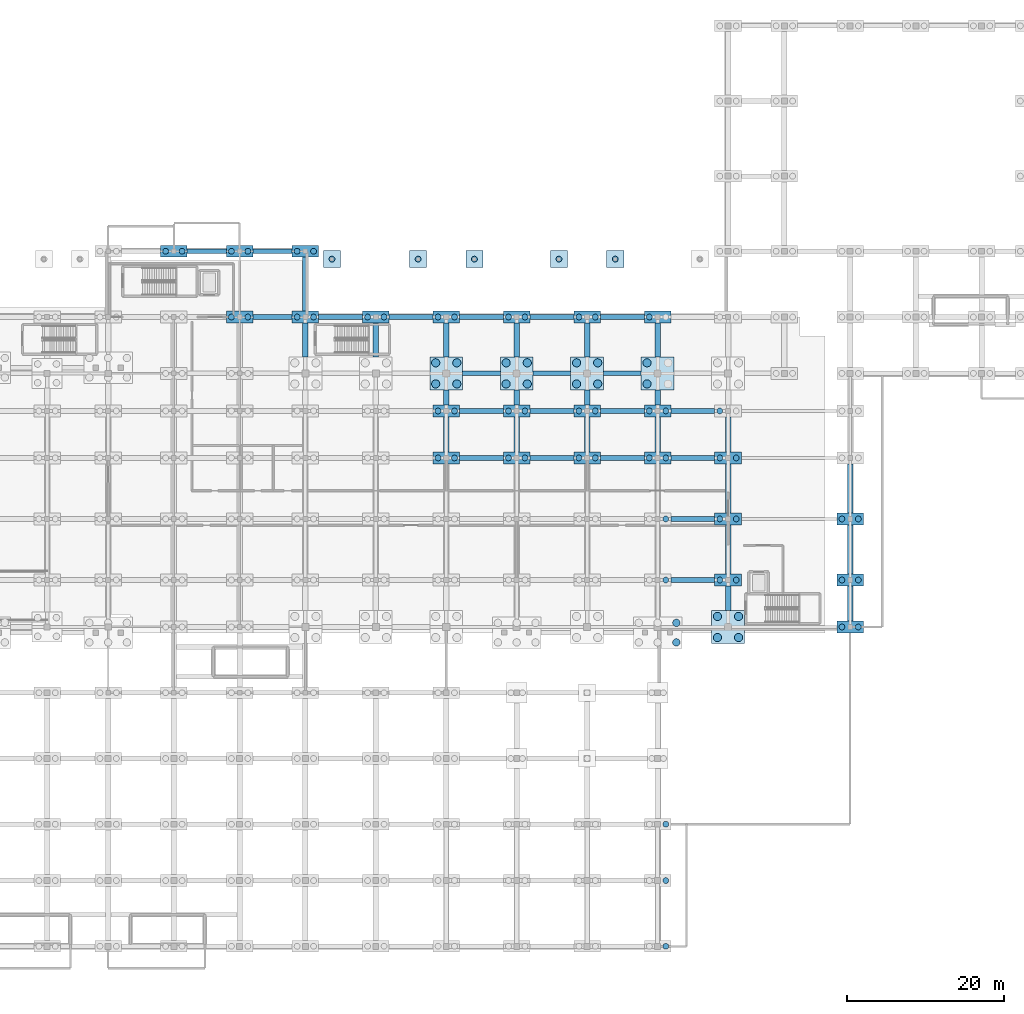
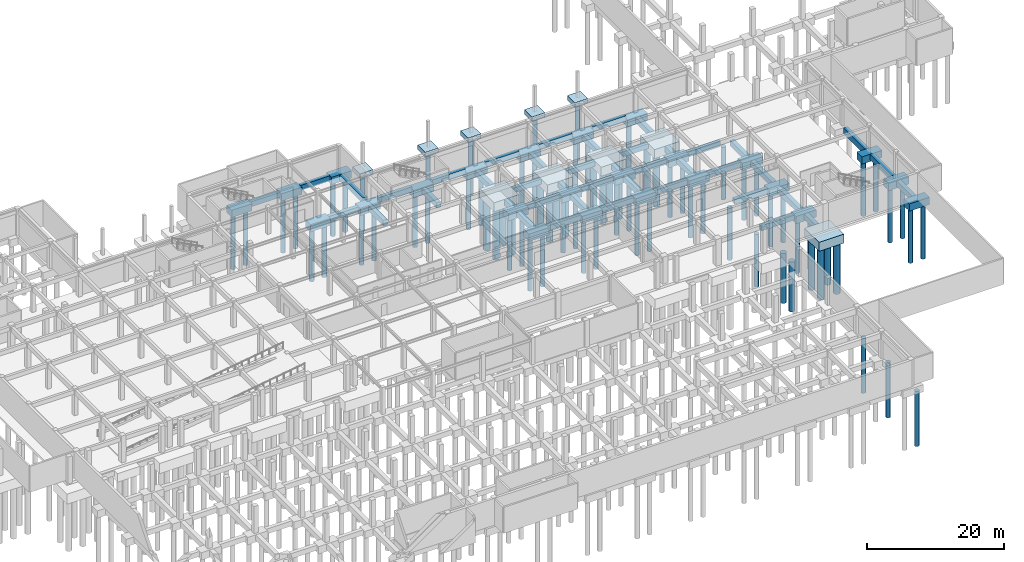
# One storey, part 7 of 26: 78 piles, 77 footings.
"""IFC4 building model written with IfcOpenShell, lengths in metres."""

from ifc_helpers import new_model, si_unit, direction, frame, origin, origin_2d, place, context, subcontext, project, spatial, rectangle, circle, extrude, material, material_profile, profile_set, type_object, element, save


model = new_model("IFC4")

# Units and contexts
model_context = context("Model", 3, precision=1e-05, world=origin(), true_north=direction((0.0, 1.0)))
body_context = subcontext(model_context, "Body", "Model", "MODEL_VIEW")
ifc_project = project(units=[si_unit("LENGTHUNIT", "METRE"), si_unit("AREAUNIT", "SQUARE_METRE"), si_unit("VOLUMEUNIT", "CUBIC_METRE"), si_unit("PLANEANGLEUNIT", "RADIAN"), si_unit("MASSUNIT", "GRAM", prefix="KILO")], contexts=[model_context])

# Site, building, storey
site_placement = place(None, origin())
site = spatial("IfcSite", under=ifc_project, at=site_placement, CompositionType="ELEMENT")
building_placement = place(site_placement, origin())
building = spatial("IfcBuilding", under=site, at=building_placement, Name="Tizgana Railside Sports Hall", CompositionType="ELEMENT")
storey_placement = place(building_placement, frame((0.0, 0.0, -4.800048828125)))
storey = spatial("IfcBuildingStorey", under=building, at=storey_placement, Name="B1", CompositionType="ELEMENT", Elevation=-4.800048828125)

# Piles
ifc_material = material(Name="Concrete C35/45", Category="concrete")
ifc_material_profile_1 = material_profile(ifc_material, circle(Radius=0.52490234375, at=origin_2d()), Name="PILE D1050")
ifc_profile_set_1 = profile_set([ifc_material_profile_1], Name="Concrete C35/45")
pile_type_1 = type_object("IfcPileType", Name="Bored Pile D1050", PredefinedType="BORED", material=ifc_profile_set_1)
for number, where, z_axis, x_axis, name in (
    (1, (96.449951171875, 71.85009765625, -1.919921875), (0.0, 0.0, -1.0), (1.0, 0.0, 0.0), "B1 PIL-0375"),
    (2, (99.14990234375, 71.85009765625, -1.919921875), (0.0, 0.0, -1.0), (1.0, 0.0, 0.0), "B1 PIL-0376"),
    (3, (96.449951171875, 74.550048828125, -1.919921875), (0.0, 0.0, -1.0), (1.0, 0.0, 0.0), "B1 PIL-0377"),
    (4, (99.14990234375, 74.550048828125, -1.919921875), (0.0, 0.0, -1.0), (1.0, 0.0, 0.0), "B1 PIL-0378"),
    (5, (105.449951171875, 71.85009765625, -1.919921875), (0.0, 0.0, -1.0), (1.0, 0.0, 0.0), "B1 PIL-0405"),
    (6, (108.14990234375, 71.85009765625, -1.919921875), (0.0, 0.0, -1.0), (1.0, 0.0, 0.0), "B1 PIL-0406"),
    (7, (105.449951171875, 74.550048828125, -1.919921875), (0.0, 0.0, -1.0), (1.0, 0.0, 0.0), "B1 PIL-0407"),
    (8, (108.14990234375, 74.550048828125, -1.919921875), (0.0, 0.0, -1.0), (1.0, 0.0, 0.0), "B1 PIL-0408"),
    (9, (114.449951171875, 71.85009765625, -1.919921875), (0.0, 0.0, -1.0), (1.0, 0.0, 0.0), "B1 PIL-0431"),
    (10, (117.14990234375, 71.85009765625, -1.919921875), (0.0, 0.0, -1.0), (1.0, 0.0, 0.0), "B1 PIL-0432"),
    (11, (114.449951171875, 74.550048828125, -1.919921875), (0.0, 0.0, -1.0), (1.0, 0.0, 0.0), "B1 PIL-0433"),
    (12, (117.14990234375, 74.550048828125, -1.919921875), (0.0, 0.0, -1.0), (1.0, 0.0, 0.0), "B1 PIL-0434"),
    (13, (123.449951171875, 71.85009765625, -1.919921875), (0.0, 0.0, -1.0), (1.0, 0.0, 0.0), "B1 PIL-0461"),
    (14, (123.449951171875, 74.550048828125, -1.919921875), (0.0, 0.0, -1.0), (1.0, 0.0, 0.0), "B1 PIL-0463"),
    (15, (132.449951171875, 39.449951171875, -1.919921875), (0.0, 0.0, -1.0), (1.0, 0.0, 0.0), "B1 PIL-0467"),
    (16, (135.14990234375, 39.449951171875, -1.919921875), (0.0, 0.0, -1.0), (1.0, 0.0, 0.0), "B1 PIL-0468"),
    (17, (132.449951171875, 42.14990234375, -1.919921875), (0.0, 0.0, -1.0), (1.0, 0.0, 0.0), "B1 PIL-0469"),
    (18, (135.14990234375, 42.14990234375, -1.919921875), (0.0, 0.0, -1.0), (1.0, 0.0, 0.0), "B1 PIL-0470"),
):
    element("IfcPile", number, at=place(storey_placement, frame(where, z_axis=z_axis, x_axis=x_axis)), inside=storey, type_object=pile_type_1, Name=name, PredefinedType="BORED", context=body_context, shape_type="SweptSolid", body=[
        extrude(circle(Radius=0.52490234375, at=origin_2d()), origin(), (0.0, 0.0, 1.0), 9.080078125),
    ])
ifc_material_profile_2 = material_profile(ifc_material, circle(Radius=0.375, at=origin_2d()), Name="PILE D750")
ifc_profile_set_2 = profile_set([ifc_material_profile_2], Name="Concrete C35/45")
pile_type_2 = type_object("IfcPileType", Name="Bored Pile D750", PredefinedType="BORED", material=ifc_profile_set_2)
for number, where, z_axis, x_axis, name in (
    (19, (61.949951171875, 88.800048828125, -1.199951171875), (0.0, 0.0, -1.0), (1.0, 0.0, 0.0), "B1 PIL-0267"),
    (20, (64.050048828125, 88.800048828125, -1.199951171875), (0.0, 0.0, -1.0), (1.0, 0.0, 0.0), "B1 PIL-0268"),
):
    element("IfcPile", number, at=place(storey_placement, frame(where, z_axis=z_axis, x_axis=x_axis)), inside=storey, type_object=pile_type_2, Name=name, PredefinedType="BORED", context=body_context, shape_type="SweptSolid", body=[
        extrude(circle(Radius=0.375, at=origin_2d()), origin(), (0.0, 0.0, 1.0), 9.800048828125),
    ])
for number, where, z_axis, x_axis, name in (
    (21, (70.35009765625, 80.39990234375, -1.619873046875), (0.0, 0.0, -1.0), (1.0, 0.0, 0.0), "B1 PIL-0291"),
    (22, (72.449951171875, 80.39990234375, -1.619873046875), (0.0, 0.0, -1.0), (1.0, 0.0, 0.0), "B1 PIL-0292"),
):
    element("IfcPile", number, at=place(storey_placement, frame(where, z_axis=z_axis, x_axis=x_axis)), inside=storey, type_object=pile_type_2, Name=name, PredefinedType="BORED", context=body_context, shape_type="SweptSolid", body=[
        extrude(circle(Radius=0.375, at=origin_2d()), origin(), (0.0, 0.0, 1.0), 9.3798828125),
    ])
for number, where, z_axis, x_axis, name in (
    (23, (70.35009765625, 88.800048828125, -1.199951171875), (0.0, 0.0, -1.0), (1.0, 0.0, 0.0), "B1 PIL-0293"),
    (24, (72.449951171875, 88.800048828125, -1.199951171875), (0.0, 0.0, -1.0), (1.0, 0.0, 0.0), "B1 PIL-0294"),
):
    element("IfcPile", number, at=place(storey_placement, frame(where, z_axis=z_axis, x_axis=x_axis)), inside=storey, type_object=pile_type_2, Name=name, PredefinedType="BORED", context=body_context, shape_type="SweptSolid", body=[
        extrude(circle(Radius=0.375, at=origin_2d()), origin(), (0.0, 0.0, 1.0), 9.800048828125),
    ])
for number, where, z_axis, x_axis, name in (
    (25, (78.75, 80.39990234375, -1.619873046875), (0.0, 0.0, -1.0), (1.0, 0.0, 0.0), "B1 PIL-0321"),
    (26, (80.85009765625, 80.39990234375, -1.619873046875), (0.0, 0.0, -1.0), (1.0, 0.0, 0.0), "B1 PIL-0322"),
):
    element("IfcPile", number, at=place(storey_placement, frame(where, z_axis=z_axis, x_axis=x_axis)), inside=storey, type_object=pile_type_2, Name=name, PredefinedType="BORED", context=body_context, shape_type="SweptSolid", body=[
        extrude(circle(Radius=0.375, at=origin_2d()), origin(), (0.0, 0.0, 1.0), 9.3798828125),
    ])
for number, where, z_axis, x_axis, name in (
    (27, (78.75, 88.800048828125, -1.199951171875), (0.0, 0.0, -1.0), (1.0, 0.0, 0.0), "B1 PIL-0323"),
    (28, (80.85009765625, 88.800048828125, -1.199951171875), (0.0, 0.0, -1.0), (1.0, 0.0, 0.0), "B1 PIL-0324"),
):
    element("IfcPile", number, at=place(storey_placement, frame(where, z_axis=z_axis, x_axis=x_axis)), inside=storey, type_object=pile_type_2, Name=name, PredefinedType="BORED", context=body_context, shape_type="SweptSolid", body=[
        extrude(circle(Radius=0.375, at=origin_2d()), origin(), (0.0, 0.0, 1.0), 9.800048828125),
    ])
for number, where, z_axis, x_axis, name in (
    (29, (87.75, 80.39990234375, -1.619873046875), (0.0, 0.0, -1.0), (1.0, 0.0, 0.0), "B1 PIL-0351"),
    (30, (89.85009765625, 80.39990234375, -1.619873046875), (0.0, 0.0, -1.0), (1.0, 0.0, 0.0), "B1 PIL-0352"),
    (31, (96.75, 62.39990234375, -1.619873046875), (0.0, 0.0, -1.0), (1.0, 0.0, 0.0), "B1 PIL-0371"),
    (32, (98.85009765625, 62.39990234375, -1.619873046875), (0.0, 0.0, -1.0), (1.0, 0.0, 0.0), "B1 PIL-0372"),
    (33, (96.75, 68.39990234375, -1.619873046875), (0.0, 0.0, -1.0), (1.0, 0.0, 0.0), "B1 PIL-0373"),
    (34, (98.85009765625, 68.39990234375, -1.619873046875), (0.0, 0.0, -1.0), (1.0, 0.0, 0.0), "B1 PIL-0374"),
    (35, (96.75, 80.39990234375, -1.619873046875), (0.0, 0.0, -1.0), (1.0, 0.0, 0.0), "B1 PIL-0379"),
    (36, (98.85009765625, 80.39990234375, -1.619873046875), (0.0, 0.0, -1.0), (1.0, 0.0, 0.0), "B1 PIL-0380"),
    (37, (105.75, 62.39990234375, -1.619873046875), (0.0, 0.0, -1.0), (1.0, 0.0, 0.0), "B1 PIL-0401"),
    (38, (107.85009765625, 62.39990234375, -1.619873046875), (0.0, 0.0, -1.0), (1.0, 0.0, 0.0), "B1 PIL-0402"),
    (39, (105.75, 68.39990234375, -1.619873046875), (0.0, 0.0, -1.0), (1.0, 0.0, 0.0), "B1 PIL-0403"),
    (40, (107.85009765625, 68.39990234375, -1.619873046875), (0.0, 0.0, -1.0), (1.0, 0.0, 0.0), "B1 PIL-0404"),
    (41, (105.75, 80.39990234375, -1.619873046875), (0.0, 0.0, -1.0), (1.0, 0.0, 0.0), "B1 PIL-0409"),
    (42, (107.85009765625, 80.39990234375, -1.619873046875), (0.0, 0.0, -1.0), (1.0, 0.0, 0.0), "B1 PIL-0410"),
    (43, (114.75, 62.39990234375, -1.619873046875), (0.0, 0.0, -1.0), (1.0, 0.0, 0.0), "B1 PIL-0427"),
    (44, (116.85009765625, 62.39990234375, -1.619873046875), (0.0, 0.0, -1.0), (1.0, 0.0, 0.0), "B1 PIL-0428"),
    (45, (114.75, 68.39990234375, -1.619873046875), (0.0, 0.0, -1.0), (1.0, 0.0, 0.0), "B1 PIL-0429"),
    (46, (116.85009765625, 68.39990234375, -1.619873046875), (0.0, 0.0, -1.0), (1.0, 0.0, 0.0), "B1 PIL-0430"),
    (47, (114.75, 80.39990234375, -1.619873046875), (0.0, 0.0, -1.0), (1.0, 0.0, 0.0), "B1 PIL-0435"),
    (48, (116.85009765625, 80.39990234375, -1.619873046875), (0.0, 0.0, -1.0), (1.0, 0.0, 0.0), "B1 PIL-0436"),
):
    element("IfcPile", number, at=place(storey_placement, frame(where, z_axis=z_axis, x_axis=x_axis)), inside=storey, type_object=pile_type_2, Name=name, PredefinedType="BORED", context=body_context, shape_type="SweptSolid", body=[
        extrude(circle(Radius=0.375, at=origin_2d()), origin(), (0.0, 0.0, 1.0), 9.3798828125),
    ])
for number, where, z_axis, x_axis, name in (
    (49, (125.85009765625, 0.0, -1.199951171875), (0.0, 0.0, -1.0), (1.0, 0.0, 0.0), "B1 PIL-0444"),
    (50, (125.85009765625, 8.39990234375, -1.199951171875), (0.0, 0.0, -1.0), (1.0, 0.0, 0.0), "B1 PIL-0446"),
    (51, (125.85009765625, 15.60009765625, -1.199951171875), (0.0, 0.0, -1.0), (1.0, 0.0, 0.0), "B1 PIL-0448"),
):
    element("IfcPile", number, at=place(storey_placement, frame(where, z_axis=z_axis, x_axis=x_axis)), inside=storey, type_object=pile_type_2, Name=name, PredefinedType="BORED", context=body_context, shape_type="SweptSolid", body=[
        extrude(circle(Radius=0.375, at=origin_2d()), origin(), (0.0, 0.0, 1.0), 9.800048828125),
    ])
for number, where, z_axis, x_axis, name in (
    (52, (125.85009765625, 46.800048828125, -1.619873046875), (0.0, 0.0, -1.0), (1.0, 0.0, 0.0), "B1 PIL-0454"),
    (53, (125.85009765625, 54.60009765625, -1.619873046875), (0.0, 0.0, -1.0), (1.0, 0.0, 0.0), "B1 PIL-0456"),
    (54, (123.75, 62.39990234375, -1.619873046875), (0.0, 0.0, -1.0), (1.0, 0.0, 0.0), "B1 PIL-0457"),
    (55, (125.85009765625, 62.39990234375, -1.619873046875), (0.0, 0.0, -1.0), (1.0, 0.0, 0.0), "B1 PIL-0458"),
    (56, (123.75, 68.39990234375, -1.619873046875), (0.0, 0.0, -1.0), (1.0, 0.0, 0.0), "B1 PIL-0459"),
    (57, (125.85009765625, 68.39990234375, -1.619873046875), (0.0, 0.0, -1.0), (1.0, 0.0, 0.0), "B1 PIL-0460"),
    (58, (123.75, 80.39990234375, -1.619873046875), (0.0, 0.0, -1.0), (1.0, 0.0, 0.0), "B1 PIL-0465"),
    (59, (132.75, 46.800048828125, -1.619873046875), (0.0, 0.0, -1.0), (1.0, 0.0, 0.0), "B1 PIL-0471"),
    (60, (134.85009765625, 46.800048828125, -1.619873046875), (0.0, 0.0, -1.0), (1.0, 0.0, 0.0), "B1 PIL-0472"),
    (61, (132.75, 54.60009765625, -1.619873046875), (0.0, 0.0, -1.0), (1.0, 0.0, 0.0), "B1 PIL-0473"),
    (62, (134.85009765625, 54.60009765625, -1.619873046875), (0.0, 0.0, -1.0), (1.0, 0.0, 0.0), "B1 PIL-0474"),
    (63, (132.75, 62.39990234375, -1.619873046875), (0.0, 0.0, -1.0), (1.0, 0.0, 0.0), "B1 PIL-0475"),
    (64, (134.85009765625, 62.39990234375, -1.619873046875), (0.0, 0.0, -1.0), (1.0, 0.0, 0.0), "B1 PIL-0476"),
    (65, (132.75, 68.39990234375, -1.619873046875), (0.0, 0.0, -1.0), (1.0, 0.0, 0.0), "B1 PIL-0477"),
):
    element("IfcPile", number, at=place(storey_placement, frame(where, z_axis=z_axis, x_axis=x_axis)), inside=storey, type_object=pile_type_2, Name=name, PredefinedType="BORED", context=body_context, shape_type="SweptSolid", body=[
        extrude(circle(Radius=0.375, at=origin_2d()), origin(), (0.0, 0.0, 1.0), 9.3798828125),
    ])
for number, where, z_axis, x_axis, name in (
    (66, (148.35009765625, 40.800048828125, -1.199951171875), (0.0, 0.0, -1.0), (1.0, 0.0, 0.0), "B1 PIL-0505"),
    (67, (150.449951171875, 40.800048828125, -1.199951171875), (0.0, 0.0, -1.0), (1.0, 0.0, 0.0), "B1 PIL-0506"),
    (68, (148.35009765625, 46.800048828125, -1.199951171875), (0.0, 0.0, -1.0), (1.0, 0.0, 0.0), "B1 PIL-0507"),
    (69, (150.449951171875, 46.800048828125, -1.199951171875), (0.0, 0.0, -1.0), (1.0, 0.0, 0.0), "B1 PIL-0508"),
    (70, (148.35009765625, 54.60009765625, -1.199951171875), (0.0, 0.0, -1.0), (1.0, 0.0, 0.0), "B1 PIL-0509"),
    (71, (150.449951171875, 54.60009765625, -1.199951171875), (0.0, 0.0, -1.0), (1.0, 0.0, 0.0), "B1 PIL-0510"),
):
    element("IfcPile", number, at=place(storey_placement, frame(where, z_axis=z_axis, x_axis=x_axis)), inside=storey, type_object=pile_type_2, Name=name, PredefinedType="BORED", context=body_context, shape_type="SweptSolid", body=[
        extrude(circle(Radius=0.375, at=origin_2d()), origin(), (0.0, 0.0, 1.0), 9.800048828125),
    ])
for number, where, z_axis, x_axis, name in (
    (72, (83.199951171875, 87.800048828125, -0.699951171875), (0.0, 0.0, -1.0), (1.0, 0.0, 0.0), "B1 Promenade Pile"),
    (73, (94.199951171875, 87.800048828125, -0.699951171875), (0.0, 0.0, -1.0), (1.0, 0.0, 0.0), "B1 Promenade Pile"),
    (74, (101.39990234375, 87.800048828125, -0.699951171875), (0.0, 0.0, -1.0), (1.0, 0.0, 0.0), "B1 Promenade Pile"),
    (75, (112.199951171875, 87.800048828125, -0.699951171875), (0.0, 0.0, -1.0), (1.0, 0.0, 0.0), "B1 Promenade Pile"),
    (76, (119.39990234375, 87.800048828125, -0.699951171875), (0.0, 0.0, -1.0), (1.0, 0.0, 0.0), "B1 Promenade Pile"),
):
    element("IfcPile", number, at=place(storey_placement, frame(where, z_axis=z_axis, x_axis=x_axis)), inside=storey, type_object=pile_type_2, Name=name, PredefinedType="BORED", context=body_context, shape_type="SweptSolid", body=[
        extrude(circle(Radius=0.375, at=origin_2d()), origin(), (0.0, 0.0, 1.0), 10.300048828125),
    ])
ifc_material_profile_3 = material_profile(ifc_material, circle(Radius=0.47509765625, at=origin_2d()), Name="PILE D950")
ifc_profile_set_3 = profile_set([ifc_material_profile_3], Name="Concrete C35/45")
pile_type_3 = type_object("IfcPileType", Name="Bored Pile D950", PredefinedType="BORED", material=ifc_profile_set_3)
for number, where, z_axis, x_axis, name in (
    (77, (127.199951171875, 38.830078125, -2.119873046875), (0.0, 0.0, -1.0), (1.0, 0.0, 0.0), "B1 PIL-0441"),
    (78, (127.199951171875, 41.330078125, -2.119873046875), (0.0, 0.0, -1.0), (1.0, 0.0, 0.0), "B1 PIL-0442"),
):
    element("IfcPile", number, at=place(storey_placement, frame(where, z_axis=z_axis, x_axis=x_axis)), inside=storey, type_object=pile_type_3, Name=name, PredefinedType="BORED", context=body_context, shape_type="SweptSolid", body=[
        extrude(circle(Radius=0.47509765625, at=origin_2d()), origin(), (0.0, 0.0, 1.0), 8.8798828125),
    ])

# Footings
footing_type_1 = type_object("IfcFootingType", Name="Canopy Pad Footing 2200x2200x800", PredefinedType="PAD_FOOTING", material=ifc_material)
for number, where, z_axis, x_axis, name in (
    (79, (83.199951171875, 87.800048828125, -0.7998046875), (0.0, 0.0, 1.0), (1.0, 0.0, 0.0), "B1 Promenade Pier Footing"),
    (80, (94.199951171875, 87.800048828125, -0.7998046875), (0.0, 0.0, 1.0), (1.0, 0.0, 0.0), "B1 Promenade Pier Footing"),
    (81, (101.39990234375, 87.800048828125, -0.7998046875), (0.0, 0.0, 1.0), (1.0, 0.0, 0.0), "B1 Promenade Pier Footing"),
    (82, (112.199951171875, 87.800048828125, -0.7998046875), (0.0, 0.0, 1.0), (1.0, 0.0, 0.0), "B1 Promenade Pier Footing"),
    (83, (119.39990234375, 87.800048828125, -0.7998046875), (0.0, 0.0, 1.0), (1.0, 0.0, 0.0), "B1 Promenade Pier Footing"),
):
    element("IfcFooting", number, at=place(storey_placement, frame(where, z_axis=z_axis, x_axis=x_axis)), inside=storey, type_object=footing_type_1, Name=name, PredefinedType="PAD_FOOTING", context=body_context, shape_type="SweptSolid", body=[
        extrude(rectangle(XDim=2.199951171875, YDim=2.199951171875, at=origin_2d()), origin(), (0.0, 0.0, 1.0), 0.800048828125),
    ])
footing_type_2 = type_object("IfcFootingType", Name="Ground Tie Beam 600x900", PredefinedType="FOOTING_BEAM", material=ifc_material)
for number, where, z_axis, x_axis, name in (
    (84, (129.300048828125, 46.800048828125, -1.31982421875), (0.0, 0.0, 1.0), (1.0, 0.0, 0.0), "B1 FTG-0335"),
    (85, (129.300048828125, 54.60009765625, -1.31982421875), (0.0, 0.0, 1.0), (1.0, 0.0, 0.0), "B1 FTG-0350"),
    (86, (102.300048828125, 62.39990234375, -1.31982421875), (0.0, 0.0, 1.0), (1.0, 0.0, 0.0), "B1 FTG-0362"),
    (87, (111.300048828125, 62.39990234375, -1.31982421875), (0.0, 0.0, 1.0), (1.0, 0.0, 0.0), "B1 FTG-0363"),
    (88, (120.300048828125, 62.39990234375, -1.31982421875), (0.0, 0.0, 1.0), (1.0, 0.0, 0.0), "B1 FTG-0364"),
    (89, (129.300048828125, 62.39990234375, -1.31982421875), (0.0, 0.0, 1.0), (1.0, 0.0, 0.0), "B1 FTG-0365"),
    (90, (102.300048828125, 68.39990234375, -1.31982421875), (0.0, 0.0, 1.0), (1.0, 0.0, 0.0), "B1 FTG-0377"),
    (91, (111.300048828125, 68.39990234375, -1.31982421875), (0.0, 0.0, 1.0), (1.0, 0.0, 0.0), "B1 FTG-0378"),
    (92, (120.300048828125, 68.39990234375, -1.31982421875), (0.0, 0.0, 1.0), (1.0, 0.0, 0.0), "B1 FTG-0379"),
    (93, (129.300048828125, 68.39990234375, -1.31982421875), (0.0, 0.0, 1.0), (1.0, 0.0, 0.0), "B1 FTG-0380"),
):
    element("IfcFooting", number, at=place(storey_placement, frame(where, z_axis=z_axis, x_axis=x_axis)), inside=storey, type_object=footing_type_2, Name=name, PredefinedType="FOOTING_BEAM", context=body_context, shape_type="SweptSolid", body=[
        extrude(rectangle(XDim=5.60400390625, YDim=0.60009765625, at=origin_2d()), origin(), (0.0, 0.0, 1.0), 0.89990234375),
    ])
for number, where, z_axis, x_axis, name in (
    (94, (102.300048828125, 73.199951171875, -1.31982421875), (0.0, 0.0, 1.0), (1.0, 0.0, 0.0), "B1 FTG-0389"),
    (95, (111.300048828125, 73.199951171875, -1.31982421875), (0.0, 0.0, 1.0), (1.0, 0.0, 0.0), "B1 FTG-0390"),
    (96, (120.300048828125, 73.199951171875, -1.31982421875), (0.0, 0.0, 1.0), (1.0, 0.0, 0.0), "B1 FTG-0391"),
):
    element("IfcFooting", number, at=place(storey_placement, frame(where, z_axis=z_axis, x_axis=x_axis)), inside=storey, type_object=footing_type_2, Name=name, PredefinedType="FOOTING_BEAM", context=body_context, shape_type="SweptSolid", body=[
        extrude(rectangle(XDim=4.803955078125, YDim=0.60009765625, at=origin_2d()), origin(), (0.0, 0.0, 1.0), 0.89990234375),
    ])
footing_1_placement = place(storey_placement, frame((75.60009765625, 80.39990234375, -1.31982421875), z_axis=(0.0, 0.0, 1.0), x_axis=(1.0, 0.0, 0.0)))
element("IfcFooting", 97, at=footing_1_placement, inside=storey, type_object=footing_type_2, Name="B1 FTG-0411", PredefinedType="FOOTING_BEAM", context=body_context, shape_type="SweptSolid", body=[
    extrude(rectangle(XDim=5.00390625, YDim=0.60009765625, at=origin_2d()), origin(), (0.0, 0.0, 1.0), 0.89990234375),
])
for number, where, z_axis, x_axis, name in (
    (98, (84.300048828125, 80.39990234375, -0.89990234375), (0.0, 0.0, 1.0), (1.0, 0.0, 0.0), "B1 FTG-0412"),
    (99, (93.300048828125, 80.39990234375, -0.89990234375), (0.0, 0.0, 1.0), (1.0, 0.0, 0.0), "B1 FTG-0413"),
    (100, (102.300048828125, 80.39990234375, -0.89990234375), (0.0, 0.0, 1.0), (1.0, 0.0, 0.0), "B1 FTG-0414"),
    (101, (111.300048828125, 80.39990234375, -0.89990234375), (0.0, 0.0, 1.0), (1.0, 0.0, 0.0), "B1 FTG-0415"),
    (102, (120.300048828125, 80.39990234375, -0.89990234375), (0.0, 0.0, 1.0), (1.0, 0.0, 0.0), "B1 FTG-0416"),
):
    element("IfcFooting", number, at=place(storey_placement, frame(where, z_axis=z_axis, x_axis=x_axis)), inside=storey, type_object=footing_type_2, Name=name, PredefinedType="FOOTING_BEAM", context=body_context, shape_type="SweptSolid", body=[
        extrude(rectangle(XDim=5.60400390625, YDim=0.60009765625, at=origin_2d()), origin(), (0.0, 0.0, 1.0), 0.89990234375),
    ])
for number, where, z_axis, x_axis, name in (
    (103, (67.199951171875, 88.800048828125, -0.89990234375), (0.0, 0.0, 1.0), (1.0, 0.0, 0.0), "B1 FTG-0426"),
    (104, (75.60009765625, 88.800048828125, -0.89990234375), (0.0, 0.0, 1.0), (1.0, 0.0, 0.0), "B1 FTG-0427"),
):
    element("IfcFooting", number, at=place(storey_placement, frame(where, z_axis=z_axis, x_axis=x_axis)), inside=storey, type_object=footing_type_2, Name=name, PredefinedType="FOOTING_BEAM", context=body_context, shape_type="SweptSolid", body=[
        extrude(rectangle(XDim=5.00390625, YDim=0.60009765625, at=origin_2d()), origin(), (0.0, 0.0, 1.0), 0.89990234375),
    ])
footing_type_3 = type_object("IfcFootingType", Name="Heavy Four-Pile Cap 4200x4200x1600", PredefinedType="PILE_CAP", material=ifc_material)
for number, where, z_axis, x_axis, name in (
    (105, (97.800048828125, 73.199951171875, -2.02001953125), (0.0, 0.0, 1.0), (1.0, 0.0, 0.0), "B1 FTG-0157"),
    (106, (106.800048828125, 73.199951171875, -2.02001953125), (0.0, 0.0, 1.0), (1.0, 0.0, 0.0), "B1 FTG-0169"),
    (107, (115.800048828125, 73.199951171875, -2.02001953125), (0.0, 0.0, 1.0), (1.0, 0.0, 0.0), "B1 FTG-0181"),
    (108, (124.800048828125, 73.199951171875, -2.02001953125), (0.0, 0.0, 1.0), (1.0, 0.0, 0.0), "B1 FTG-0193"),
    (109, (133.800048828125, 40.800048828125, -2.02001953125), (0.0, 0.0, 1.0), (1.0, 0.0, 0.0), "B1 FTG-0195"),
):
    element("IfcFooting", number, at=place(storey_placement, frame(where, z_axis=z_axis, x_axis=x_axis)), inside=storey, type_object=footing_type_3, Name=name, PredefinedType="PILE_CAP", context=body_context, shape_type="SweptSolid", body=[
        extrude(rectangle(XDim=4.199951171875, YDim=4.199951171875, at=origin_2d()), origin(), (0.0, 0.0, 1.0), 1.60009765625),
    ])
footing_type_4 = type_object("IfcFootingType", Name="Perimeter Ground Beam 700x1000", PredefinedType="FOOTING_BEAM", material=ifc_material)
footing_2_placement = place(storey_placement, frame((79.800048828125, 77.47509765625, -1.419921875), z_axis=(0.0, 0.0, 1.0), x_axis=(0.0, 1.0, 0.0)))
element("IfcFooting", 110, at=footing_2_placement, inside=storey, type_object=footing_type_4, Name="B1 FTG-0550", PredefinedType="FOOTING_BEAM", context=body_context, shape_type="SweptSolid", body=[
    extrude(rectangle(XDim=4.35400390625, YDim=0.699951171875, at=origin_2d()), origin(), (0.0, 0.0, 1.0), 1.0),
])
footing_3_placement = place(storey_placement, frame((79.800048828125, 84.60009765625, -1.0), z_axis=(0.0, 0.0, 1.0), x_axis=(0.0, 1.0, 0.0)))
element("IfcFooting", 111, at=footing_3_placement, inside=storey, type_object=footing_type_4, Name="B1 FTG-0551", PredefinedType="FOOTING_BEAM", context=body_context, shape_type="SweptSolid", body=[
    extrude(rectangle(XDim=6.904052734375, YDim=0.699951171875, at=origin_2d()), origin(), (0.0, 0.0, 1.0), 1.0),
])
footing_4_placement = place(storey_placement, frame((88.800048828125, 77.47509765625, -1.419921875), z_axis=(0.0, 0.0, 1.0), x_axis=(0.0, 1.0, 0.0)))
element("IfcFooting", 112, at=footing_4_placement, inside=storey, type_object=footing_type_4, Name="B1 FTG-0561", PredefinedType="FOOTING_BEAM", context=body_context, shape_type="SweptSolid", body=[
    extrude(rectangle(XDim=4.35400390625, YDim=0.699951171875, at=origin_2d()), origin(), (0.0, 0.0, 1.0), 1.0),
])
footing_5_placement = place(storey_placement, frame((97.800048828125, 65.39990234375, -1.419921875), z_axis=(0.0, 0.0, 1.0), x_axis=(0.0, 1.0, 0.0)))
element("IfcFooting", 113, at=footing_5_placement, inside=storey, type_object=footing_type_4, Name="B1 FTG-0569", PredefinedType="FOOTING_BEAM", context=body_context, shape_type="SweptSolid", body=[
    extrude(rectangle(XDim=4.50390625, YDim=0.699951171875, at=origin_2d()), origin(), (0.0, 0.0, 1.0), 1.0),
])
footing_6_placement = place(storey_placement, frame((97.800048828125, 70.125, -1.419921875), z_axis=(0.0, 0.0, 1.0), x_axis=(0.0, 1.0, 0.0)))
element("IfcFooting", 114, at=footing_6_placement, inside=storey, type_object=footing_type_4, Name="B1 FTG-0570", PredefinedType="FOOTING_BEAM", context=body_context, shape_type="SweptSolid", body=[
    extrude(rectangle(XDim=1.9541015625, YDim=0.699951171875, at=origin_2d()), origin(), (0.0, 0.0, 1.0), 1.0),
])
footing_7_placement = place(storey_placement, frame((97.800048828125, 77.47509765625, -1.419921875), z_axis=(0.0, 0.0, 1.0), x_axis=(0.0, 1.0, 0.0)))
element("IfcFooting", 115, at=footing_7_placement, inside=storey, type_object=footing_type_4, Name="B1 FTG-0571", PredefinedType="FOOTING_BEAM", context=body_context, shape_type="SweptSolid", body=[
    extrude(rectangle(XDim=4.35400390625, YDim=0.699951171875, at=origin_2d()), origin(), (0.0, 0.0, 1.0), 1.0),
])
footing_8_placement = place(storey_placement, frame((106.800048828125, 65.39990234375, -1.419921875), z_axis=(0.0, 0.0, 1.0), x_axis=(0.0, 1.0, 0.0)))
element("IfcFooting", 116, at=footing_8_placement, inside=storey, type_object=footing_type_4, Name="B1 FTG-0579", PredefinedType="FOOTING_BEAM", context=body_context, shape_type="SweptSolid", body=[
    extrude(rectangle(XDim=4.50390625, YDim=0.699951171875, at=origin_2d()), origin(), (0.0, 0.0, 1.0), 1.0),
])
footing_9_placement = place(storey_placement, frame((106.800048828125, 70.125, -1.419921875), z_axis=(0.0, 0.0, 1.0), x_axis=(0.0, 1.0, 0.0)))
element("IfcFooting", 117, at=footing_9_placement, inside=storey, type_object=footing_type_4, Name="B1 FTG-0580", PredefinedType="FOOTING_BEAM", context=body_context, shape_type="SweptSolid", body=[
    extrude(rectangle(XDim=1.9541015625, YDim=0.699951171875, at=origin_2d()), origin(), (0.0, 0.0, 1.0), 1.0),
])
footing_10_placement = place(storey_placement, frame((106.800048828125, 77.47509765625, -1.419921875), z_axis=(0.0, 0.0, 1.0), x_axis=(0.0, 1.0, 0.0)))
element("IfcFooting", 118, at=footing_10_placement, inside=storey, type_object=footing_type_4, Name="B1 FTG-0581", PredefinedType="FOOTING_BEAM", context=body_context, shape_type="SweptSolid", body=[
    extrude(rectangle(XDim=4.35400390625, YDim=0.699951171875, at=origin_2d()), origin(), (0.0, 0.0, 1.0), 1.0),
])
footing_11_placement = place(storey_placement, frame((115.800048828125, 65.39990234375, -1.419921875), z_axis=(0.0, 0.0, 1.0), x_axis=(0.0, 1.0, 0.0)))
element("IfcFooting", 119, at=footing_11_placement, inside=storey, type_object=footing_type_4, Name="B1 FTG-0589", PredefinedType="FOOTING_BEAM", context=body_context, shape_type="SweptSolid", body=[
    extrude(rectangle(XDim=4.50390625, YDim=0.699951171875, at=origin_2d()), origin(), (0.0, 0.0, 1.0), 1.0),
])
footing_12_placement = place(storey_placement, frame((115.800048828125, 70.125, -1.419921875), z_axis=(0.0, 0.0, 1.0), x_axis=(0.0, 1.0, 0.0)))
element("IfcFooting", 120, at=footing_12_placement, inside=storey, type_object=footing_type_4, Name="B1 FTG-0590", PredefinedType="FOOTING_BEAM", context=body_context, shape_type="SweptSolid", body=[
    extrude(rectangle(XDim=1.9541015625, YDim=0.699951171875, at=origin_2d()), origin(), (0.0, 0.0, 1.0), 1.0),
])
footing_13_placement = place(storey_placement, frame((115.800048828125, 77.47509765625, -1.419921875), z_axis=(0.0, 0.0, 1.0), x_axis=(0.0, 1.0, 0.0)))
element("IfcFooting", 121, at=footing_13_placement, inside=storey, type_object=footing_type_4, Name="B1 FTG-0591", PredefinedType="FOOTING_BEAM", context=body_context, shape_type="SweptSolid", body=[
    extrude(rectangle(XDim=4.35400390625, YDim=0.699951171875, at=origin_2d()), origin(), (0.0, 0.0, 1.0), 1.0),
])
footing_14_placement = place(storey_placement, frame((124.800048828125, 65.39990234375, -1.419921875), z_axis=(0.0, 0.0, 1.0), x_axis=(0.0, 1.0, 0.0)))
element("IfcFooting", 122, at=footing_14_placement, inside=storey, type_object=footing_type_4, Name="B1 FTG-0599", PredefinedType="FOOTING_BEAM", context=body_context, shape_type="SweptSolid", body=[
    extrude(rectangle(XDim=4.50390625, YDim=0.699951171875, at=origin_2d()), origin(), (0.0, 0.0, 1.0), 1.0),
])
footing_15_placement = place(storey_placement, frame((124.800048828125, 70.125, -1.419921875), z_axis=(0.0, 0.0, 1.0), x_axis=(0.0, 1.0, 0.0)))
element("IfcFooting", 123, at=footing_15_placement, inside=storey, type_object=footing_type_4, Name="B1 FTG-0600", PredefinedType="FOOTING_BEAM", context=body_context, shape_type="SweptSolid", body=[
    extrude(rectangle(XDim=1.9541015625, YDim=0.699951171875, at=origin_2d()), origin(), (0.0, 0.0, 1.0), 1.0),
])
footing_16_placement = place(storey_placement, frame((124.800048828125, 77.47509765625, -1.419921875), z_axis=(0.0, 0.0, 1.0), x_axis=(0.0, 1.0, 0.0)))
element("IfcFooting", 124, at=footing_16_placement, inside=storey, type_object=footing_type_4, Name="B1 FTG-0601", PredefinedType="FOOTING_BEAM", context=body_context, shape_type="SweptSolid", body=[
    extrude(rectangle(XDim=4.35400390625, YDim=0.699951171875, at=origin_2d()), origin(), (0.0, 0.0, 1.0), 1.0),
])
footing_17_placement = place(storey_placement, frame((133.800048828125, 44.47509765625, -1.419921875), z_axis=(0.0, 0.0, 1.0), x_axis=(0.0, 1.0, 0.0)))
element("IfcFooting", 125, at=footing_17_placement, inside=storey, type_object=footing_type_4, Name="B1 FTG-0602", PredefinedType="FOOTING_BEAM", context=body_context, shape_type="SweptSolid", body=[
    extrude(rectangle(XDim=3.154052734375, YDim=0.699951171875, at=origin_2d()), origin(), (0.0, 0.0, 1.0), 1.0),
])
for number, where, z_axis, x_axis, name in (
    (126, (133.800048828125, 50.699951171875, -1.419921875), (0.0, 0.0, 1.0), (0.0, 1.0, 0.0), "B1 FTG-0603"),
    (127, (133.800048828125, 58.5, -1.419921875), (0.0, 0.0, 1.0), (0.0, 1.0, 0.0), "B1 FTG-0604"),
):
    element("IfcFooting", number, at=place(storey_placement, frame(where, z_axis=z_axis, x_axis=x_axis)), inside=storey, type_object=footing_type_4, Name=name, PredefinedType="FOOTING_BEAM", context=body_context, shape_type="SweptSolid", body=[
        extrude(rectangle(XDim=6.303955078125, YDim=0.699951171875, at=origin_2d()), origin(), (0.0, 0.0, 1.0), 1.0),
    ])
for number, where, z_axis, x_axis, name in (
    (128, (133.800048828125, 65.39990234375, -1.419921875), (0.0, 0.0, 1.0), (0.0, 1.0, 0.0), "B1 FTG-0605"),
    (129, (149.39990234375, 43.800048828125, -1.0), (0.0, 0.0, 1.0), (0.0, 1.0, 0.0), "B1 FTG-0615"),
):
    element("IfcFooting", number, at=place(storey_placement, frame(where, z_axis=z_axis, x_axis=x_axis)), inside=storey, type_object=footing_type_4, Name=name, PredefinedType="FOOTING_BEAM", context=body_context, shape_type="SweptSolid", body=[
        extrude(rectangle(XDim=4.50390625, YDim=0.699951171875, at=origin_2d()), origin(), (0.0, 0.0, 1.0), 1.0),
    ])
for number, where, z_axis, x_axis, name in (
    (130, (149.39990234375, 50.699951171875, -1.0), (0.0, 0.0, 1.0), (0.0, 1.0, 0.0), "B1 FTG-0616"),
    (131, (149.39990234375, 58.5, -1.0), (0.0, 0.0, 1.0), (0.0, 1.0, 0.0), "B1 FTG-0617"),
):
    element("IfcFooting", number, at=place(storey_placement, frame(where, z_axis=z_axis, x_axis=x_axis)), inside=storey, type_object=footing_type_4, Name=name, PredefinedType="FOOTING_BEAM", context=body_context, shape_type="SweptSolid", body=[
        extrude(rectangle(XDim=6.303955078125, YDim=0.699951171875, at=origin_2d()), origin(), (0.0, 0.0, 1.0), 1.0),
    ])
footing_type_5 = type_object("IfcFootingType", Name="Two-Pile Cap 3400x1500x1300", PredefinedType="PILE_CAP", material=ifc_material)
for number, where, z_axis, x_axis, name in (
    (132, (63.0, 88.800048828125, -1.2998046875), (0.0, 0.0, 1.0), (1.0, 0.0, 0.0), "B1 FTG-0108"),
    (133, (71.39990234375, 80.39990234375, -1.72021484375), (0.0, 0.0, 1.0), (1.0, 0.0, 0.0), "B1 FTG-0120"),
    (134, (71.39990234375, 88.800048828125, -1.2998046875), (0.0, 0.0, 1.0), (1.0, 0.0, 0.0), "B1 FTG-0121"),
    (135, (79.800048828125, 80.39990234375, -1.72021484375), (0.0, 0.0, 1.0), (1.0, 0.0, 0.0), "B1 FTG-0133"),
    (136, (79.800048828125, 88.800048828125, -1.2998046875), (0.0, 0.0, 1.0), (1.0, 0.0, 0.0), "B1 FTG-0134"),
    (137, (88.800048828125, 80.39990234375, -1.72021484375), (0.0, 0.0, 1.0), (1.0, 0.0, 0.0), "B1 FTG-0146"),
    (138, (97.800048828125, 62.39990234375, -1.72021484375), (0.0, 0.0, 1.0), (1.0, 0.0, 0.0), "B1 FTG-0155"),
    (139, (97.800048828125, 68.39990234375, -1.72021484375), (0.0, 0.0, 1.0), (1.0, 0.0, 0.0), "B1 FTG-0156"),
    (140, (97.800048828125, 80.39990234375, -1.72021484375), (0.0, 0.0, 1.0), (1.0, 0.0, 0.0), "B1 FTG-0158"),
    (141, (106.800048828125, 62.39990234375, -1.72021484375), (0.0, 0.0, 1.0), (1.0, 0.0, 0.0), "B1 FTG-0167"),
    (142, (106.800048828125, 68.39990234375, -1.72021484375), (0.0, 0.0, 1.0), (1.0, 0.0, 0.0), "B1 FTG-0168"),
    (143, (106.800048828125, 80.39990234375, -1.72021484375), (0.0, 0.0, 1.0), (1.0, 0.0, 0.0), "B1 FTG-0170"),
    (144, (115.800048828125, 62.39990234375, -1.72021484375), (0.0, 0.0, 1.0), (1.0, 0.0, 0.0), "B1 FTG-0179"),
    (145, (115.800048828125, 68.39990234375, -1.72021484375), (0.0, 0.0, 1.0), (1.0, 0.0, 0.0), "B1 FTG-0180"),
    (146, (115.800048828125, 80.39990234375, -1.72021484375), (0.0, 0.0, 1.0), (1.0, 0.0, 0.0), "B1 FTG-0182"),
    (147, (124.800048828125, 62.39990234375, -1.72021484375), (0.0, 0.0, 1.0), (1.0, 0.0, 0.0), "B1 FTG-0191"),
    (148, (124.800048828125, 68.39990234375, -1.72021484375), (0.0, 0.0, 1.0), (1.0, 0.0, 0.0), "B1 FTG-0192"),
    (149, (124.800048828125, 80.39990234375, -1.72021484375), (0.0, 0.0, 1.0), (1.0, 0.0, 0.0), "B1 FTG-0194"),
    (150, (133.800048828125, 46.800048828125, -1.72021484375), (0.0, 0.0, 1.0), (1.0, 0.0, 0.0), "B1 FTG-0196"),
    (151, (133.800048828125, 54.60009765625, -1.72021484375), (0.0, 0.0, 1.0), (1.0, 0.0, 0.0), "B1 FTG-0197"),
    (152, (133.800048828125, 62.39990234375, -1.72021484375), (0.0, 0.0, 1.0), (1.0, 0.0, 0.0), "B1 FTG-0198"),
    (153, (149.39990234375, 40.800048828125, -1.2998046875), (0.0, 0.0, 1.0), (1.0, 0.0, 0.0), "B1 FTG-0212"),
    (154, (149.39990234375, 46.800048828125, -1.2998046875), (0.0, 0.0, 1.0), (1.0, 0.0, 0.0), "B1 FTG-0213"),
    (155, (149.39990234375, 54.60009765625, -1.2998046875), (0.0, 0.0, 1.0), (1.0, 0.0, 0.0), "B1 FTG-0214"),
):
    element("IfcFooting", number, at=place(storey_placement, frame(where, z_axis=z_axis, x_axis=x_axis)), inside=storey, type_object=footing_type_5, Name=name, PredefinedType="PILE_CAP", context=body_context, shape_type="SweptSolid", body=[
        extrude(rectangle(XDim=3.39990234375, YDim=1.5, at=origin_2d()), origin(), (0.0, 0.0, 1.0), 1.300048828125),
    ])

save(model, "model.ifc")
